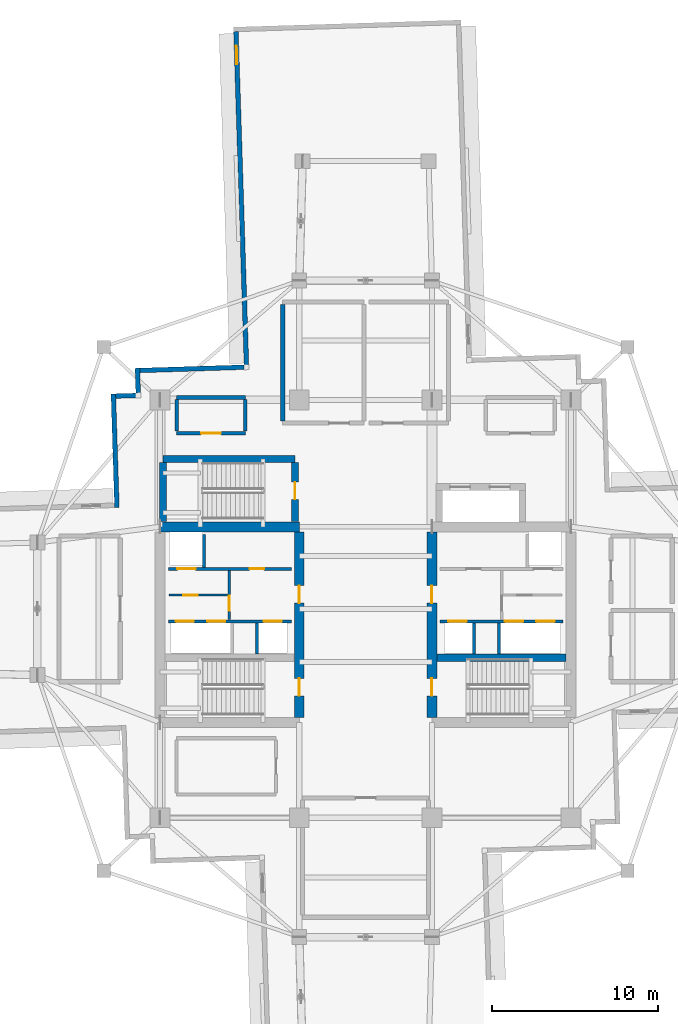
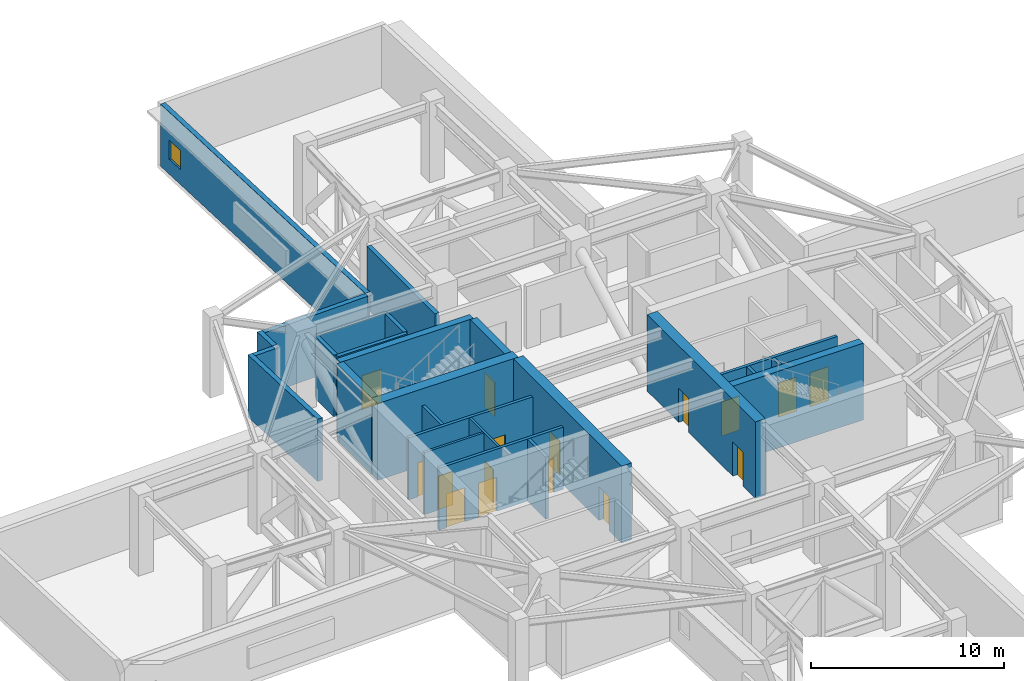
# One storey, part 10 of 17: 26 walls, 16 doors, 1 window, 17 openings.
"""IFC4 building model written with IfcOpenShell, lengths in metres."""

from ifc_helpers import new_model, si_unit, direction, frame, frame_2d, origin, place, context, subcontext, project, spatial, rectangle, extrude, material, layer, layer_set, type_object, element, fill, save


model = new_model("IFC4")

# Units and contexts
model_context = context("Model", 3, precision=1e-05, world=origin(), true_north=direction((0.0, 1.0)))
body_context = subcontext(model_context, "Body", "Model", "MODEL_VIEW")
ifc_project = project(units=[si_unit("LENGTHUNIT", "METRE"), si_unit("AREAUNIT", "SQUARE_METRE"), si_unit("VOLUMEUNIT", "CUBIC_METRE"), si_unit("PLANEANGLEUNIT", "RADIAN"), si_unit("MASSUNIT", "GRAM", prefix="KILO")], contexts=[model_context])

# Site, building, storey
site_placement = place(None, origin())
site = spatial("IfcSite", under=ifc_project, at=site_placement, CompositionType="ELEMENT")
building_placement = place(site_placement, origin())
building = spatial("IfcBuilding", under=site, at=building_placement, Name="Qingluan Cross Belvedere", CompositionType="ELEMENT")
storey_placement = place(building_placement, frame((0.0, 0.0, 191.699951171875)))
storey = spatial("IfcBuildingStorey", under=building, at=storey_placement, Name="L48", CompositionType="ELEMENT", Elevation=191.699951171875)

# Walls
ifc_material_1 = material(Name="Concrete C50", Category="concrete")
ifc_layer_1 = layer(ifc_material_1, 0.449951171875, Name="CoreShearWall_450")
ifc_layer_set_1 = layer_set([ifc_layer_1], Name="Concrete C50")
wall_type_1 = type_object("IfcWallType", Name="CoreShearWall_450", PredefinedType="SHEAR", material=ifc_layer_set_1)
wall_1_placement = place(storey_placement, frame((4.304931640625, -2.9599609375, 0.0), z_axis=(0.0, 0.0, 1.0), x_axis=(1.0, 0.0, 0.0)))
element("IfcWall", 1, at=wall_1_placement, inside=storey, type_object=wall_type_1, Name="Split core E shear wall L48-M", PredefinedType="SHEAR", context=body_context, shape_type="SweptSolid", body=[
    extrude(rectangle(XDim=7.7900390625, YDim=0.449951171875, at=frame_2d((3.89501953125, 0.0))), origin(), (0.0, 0.0, 1.0), 4.85009765625),
])
wall_2_placement = place(storey_placement, frame((-12.219970703125, 9.0400390625, 0.0), z_axis=(0.0, 0.0, 1.0), x_axis=(1.0, 0.0, 0.0)))
element("IfcWall", 2, at=wall_2_placement, inside=storey, type_object=wall_type_1, Name="Stair ST3 structural wall N L48", PredefinedType="SHEAR", context=body_context, shape_type="SweptSolid", body=[
    extrude(rectangle(XDim=7.9599609375, YDim=0.39990234375, at=frame_2d((3.97998046875, 0.0))), origin(), (0.0, 0.0, 1.0), 4.85009765625),
])
wall_3_placement = place(storey_placement, frame((-12.219970703125, 5.2548828125, 0.0), z_axis=(0.0, 0.0, 1.0), x_axis=(0.0, 1.0, 0.0)))
element("IfcWall", 3, at=wall_3_placement, inside=storey, type_object=wall_type_1, Name="Stair ST3 structural wall W L48", PredefinedType="SHEAR", context=body_context, shape_type="SweptSolid", body=[
    extrude(rectangle(XDim=3.580078125, YDim=0.39990234375, at=frame_2d((1.7900390625, 0.0))), origin(), (0.0, 0.0, 1.0), 4.85009765625),
])

# Wall, opening, door
wall_4_placement = place(storey_placement, frame((-4.260009765625, 5.2548828125, 0.0), z_axis=(0.0, 0.0, 1.0), x_axis=(0.0, 1.0, 0.0)))
wall_4 = element("IfcWall", 4, at=wall_4_placement, inside=storey, type_object=wall_type_1, Name="Stair ST3 structural wall E L48", PredefinedType="SHEAR", context=body_context, shape_type="SweptSolid", body=[
    extrude(rectangle(XDim=3.580078125, YDim=0.39990234375, at=frame_2d((1.7900390625, 0.0))), origin(), (0.0, 0.0, 1.0), 4.85009765625),
])
opening_1_placement = place(wall_4_placement, frame((1.344970703125, 0.0, 0.0)))
opening_1 = element("IfcOpeningElement", 5, at=opening_1_placement, cuts=wall_4, Name="Opening FD-B11", PredefinedType="OPENING", context=body_context, shape_type="SweptSolid", body=[
    extrude(rectangle(XDim=1.050048828125, YDim=2.14990234375, at=frame_2d((0.52490234375, 1.074951171875))), frame((0.0, 0.2099609375, 0.0), z_axis=(0.0, -1.0, 0.0), x_axis=(1.0, 0.0, 0.0)), (0.0, 0.0, 1.0), 0.419921875),
])
ifc_material_2 = material(Name="Steel Class B smoke-seal fire door", Category="steel")
door_type_1 = type_object("IfcDoorType", Name="StairLobbyFireDoor_FDB", OperationType="NOTDEFINED", PredefinedType="DOOR", material=ifc_material_2)
door_1_placement = place(opening_1_placement, origin())
door_1 = element("IfcDoor", 6, at=door_1_placement, inside=storey, type_object=door_type_1, Name="Smoke-proof stair ST3 fire door L48", OperationType="SINGLE_SWING_RIGHT", OverallHeight=2.14990234375, OverallWidth=1.050048828125, PredefinedType="DOOR", context=body_context, shape_type="SweptSolid", body=[
    extrude(rectangle(XDim=1.050048828125, YDim=2.14990234375, at=frame_2d((0.52490234375, 1.074951171875))), frame((0.0, 0.02490234375, 0.0), z_axis=(0.0, -1.0, 0.0), x_axis=(1.0, 0.0, 0.0)), (0.0, 0.0, 1.0), 0.050048828125),
])
fill(opening_1, door_1)

# Wall
ifc_material_3 = material(Name="Concrete C60", Category="concrete")
ifc_layer_2 = layer(ifc_material_3, 0.60009765625, Name="CoreShearWall_600")
ifc_layer_set_2 = layer_set([ifc_layer_2], Name="Concrete C60")
wall_type_2 = type_object("IfcWallType", Name="CoreShearWall_600", PredefinedType="SHEAR", material=ifc_layer_set_2)
wall_5_placement = place(storey_placement, frame((-12.39990234375, 4.949951171875, 0.0), z_axis=(0.0, 0.0, 1.0), x_axis=(1.0, 0.0, 0.0)))
element("IfcWall", 7, at=wall_5_placement, inside=storey, type_object=wall_type_2, Name="Split core W shear wall L48-N", PredefinedType="SHEAR", context=body_context, shape_type="SweptSolid", body=[
    extrude(rectangle(XDim=8.39990234375, YDim=0.60009765625, at=frame_2d((4.199951171875, 0.0))), origin(), (0.0, 0.0, 1.0), 4.85009765625),
])

# Wall, openings, doors
wall_6_placement = place(storey_placement, frame((-4.0, -6.544921875, 0.0), z_axis=(0.0, 0.0, 1.0), x_axis=(0.0, 1.0, 0.0)))
wall_6 = element("IfcWall", 8, at=wall_6_placement, inside=storey, type_object=wall_type_2, Name="Split core W shear wall L48-E", PredefinedType="SHEAR", context=body_context, shape_type="SweptSolid", body=[
    extrude(rectangle(XDim=11.18994140625, YDim=0.60009765625, at=frame_2d((5.594970703125, 0.0))), origin(), (0.0, 0.0, 1.0), 4.85009765625),
])
opening_2_placement = place(wall_6_placement, frame((1.294921875, 0.0, 0.0)))
opening_2 = element("IfcOpeningElement", 9, at=opening_2_placement, cuts=wall_6, Name="Opening FD-B11", PredefinedType="OPENING", context=body_context, shape_type="SweptSolid", body=[
    extrude(rectangle(XDim=1.050048828125, YDim=2.14990234375, at=frame_2d((0.52490234375, 1.074951171875))), frame((0.0, 0.31005859375, 0.0), z_axis=(0.0, -1.0, 0.0), x_axis=(1.0, 0.0, 0.0)), (0.0, 0.0, 1.0), 0.6201171875),
])
opening_3_placement = place(wall_6_placement, frame((6.89501953125, 0.0, 0.0)))
opening_3 = element("IfcOpeningElement", 10, at=opening_3_placement, cuts=wall_6, Name="Opening FD-B11", PredefinedType="OPENING", context=body_context, shape_type="SweptSolid", body=[
    extrude(rectangle(XDim=1.050048828125, YDim=2.14990234375, at=frame_2d((0.52490234375, 1.074951171875))), frame((0.0, 0.31005859375, 0.0), z_axis=(0.0, -1.0, 0.0), x_axis=(1.0, 0.0, 0.0)), (0.0, 0.0, 1.0), 0.6201171875),
])
door_2_placement = place(opening_2_placement, origin())
door_2 = element("IfcDoor", 11, at=door_2_placement, inside=storey, type_object=door_type_1, Name="Smoke-proof stair ST1 fire door L48", OperationType="SINGLE_SWING_RIGHT", OverallHeight=2.14990234375, OverallWidth=1.050048828125, PredefinedType="DOOR", context=body_context, shape_type="SweptSolid", body=[
    extrude(rectangle(XDim=1.050048828125, YDim=2.14990234375, at=frame_2d((0.52490234375, 1.074951171875))), frame((0.0, 0.02490234375, 0.0), z_axis=(0.0, -1.0, 0.0), x_axis=(1.0, 0.0, 0.0)), (0.0, 0.0, 1.0), 0.050048828125),
])
fill(opening_2, door_2)
door_3_placement = place(opening_3_placement, origin())
door_3 = element("IfcDoor", 12, at=door_3_placement, inside=storey, type_object=door_type_1, Name="Firefighting lobby West fire door L48", OperationType="SINGLE_SWING_RIGHT", OverallHeight=2.14990234375, OverallWidth=1.050048828125, PredefinedType="DOOR", context=body_context, shape_type="SweptSolid", body=[
    extrude(rectangle(XDim=1.050048828125, YDim=2.14990234375, at=frame_2d((0.52490234375, 1.074951171875))), frame((0.0, 0.02490234375, 0.0), z_axis=(0.0, -1.0, 0.0), x_axis=(1.0, 0.0, 0.0)), (0.0, 0.0, 1.0), 0.050048828125),
])
fill(opening_3, door_3)

wall_7_placement = place(storey_placement, frame((4.0, -6.544921875, 0.0), z_axis=(0.0, 0.0, 1.0), x_axis=(0.0, 1.0, 0.0)))
wall_7 = element("IfcWall", 13, at=wall_7_placement, inside=storey, type_object=wall_type_2, Name="Split core E shear wall L48-W", PredefinedType="SHEAR", context=body_context, shape_type="SweptSolid", body=[
    extrude(rectangle(XDim=11.18994140625, YDim=0.60009765625, at=frame_2d((5.594970703125, 0.0))), origin(), (0.0, 0.0, 1.0), 4.85009765625),
])
opening_4_placement = place(wall_7_placement, frame((1.294921875, 0.0, 0.0)))
opening_4 = element("IfcOpeningElement", 14, at=opening_4_placement, cuts=wall_7, Name="Opening FD-B11", PredefinedType="OPENING", context=body_context, shape_type="SweptSolid", body=[
    extrude(rectangle(XDim=1.050048828125, YDim=2.14990234375, at=frame_2d((0.52490234375, 1.074951171875))), frame((0.0, 0.31005859375, 0.0), z_axis=(0.0, -1.0, 0.0), x_axis=(1.0, 0.0, 0.0)), (0.0, 0.0, 1.0), 0.6201171875),
])
opening_5_placement = place(wall_7_placement, frame((6.89501953125, 0.0, 0.0)))
opening_5 = element("IfcOpeningElement", 15, at=opening_5_placement, cuts=wall_7, Name="Opening FD-B11", PredefinedType="OPENING", context=body_context, shape_type="SweptSolid", body=[
    extrude(rectangle(XDim=1.050048828125, YDim=2.14990234375, at=frame_2d((0.52490234375, 1.074951171875))), frame((0.0, 0.31005859375, 0.0), z_axis=(0.0, -1.0, 0.0), x_axis=(1.0, 0.0, 0.0)), (0.0, 0.0, 1.0), 0.6201171875),
])
door_4_placement = place(opening_4_placement, origin())
door_4 = element("IfcDoor", 16, at=door_4_placement, inside=storey, type_object=door_type_1, Name="Smoke-proof stair ST2 fire door L48", OperationType="SINGLE_SWING_LEFT", OverallHeight=2.14990234375, OverallWidth=1.050048828125, PredefinedType="DOOR", context=body_context, shape_type="SweptSolid", body=[
    extrude(rectangle(XDim=1.050048828125, YDim=2.14990234375, at=frame_2d((0.52490234375, 1.074951171875))), frame((0.0, 0.02490234375, 0.0), z_axis=(0.0, -1.0, 0.0), x_axis=(1.0, 0.0, 0.0)), (0.0, 0.0, 1.0), 0.050048828125),
])
fill(opening_4, door_4)
door_5_placement = place(opening_5_placement, origin())
door_5 = element("IfcDoor", 17, at=door_5_placement, inside=storey, type_object=door_type_1, Name="Firefighting lobby East fire door L48", OperationType="SINGLE_SWING_LEFT", OverallHeight=2.14990234375, OverallWidth=1.050048828125, PredefinedType="DOOR", context=body_context, shape_type="SweptSolid", body=[
    extrude(rectangle(XDim=1.050048828125, YDim=2.14990234375, at=frame_2d((0.52490234375, 1.074951171875))), frame((0.0, 0.02490234375, 0.0), z_axis=(0.0, -1.0, 0.0), x_axis=(1.0, 0.0, 0.0)), (0.0, 0.0, 1.0), 0.050048828125),
])
fill(opening_5, door_5)

# Wall, opening, door
ifc_material_4 = material(Name="Gypsum plasterboard on steel stud acoustic partition", Category="steel")
ifc_layer_3 = layer(ifc_material_4, 0.159912109375, Name="CorridorPartition_160")
ifc_layer_set_3 = layer_set([ifc_layer_3], Name="Gypsum plasterboard on steel stud acoustic partition")
wall_type_3 = type_object("IfcWallType", Name="CorridorPartition_160", PredefinedType="PARTITIONING", material=ifc_layer_set_3)
wall_8_placement = place(storey_placement, frame((-11.85009765625, 0.830078125, 0.0), z_axis=(0.0, 0.0, 1.0), x_axis=(1.0, 0.0, 0.0)))
wall_8 = element("IfcWall", 18, at=wall_8_placement, inside=storey, type_object=wall_type_3, Name="Partition L48:w", PredefinedType="PARTITIONING", context=body_context, shape_type="SweptSolid", body=[
    extrude(rectangle(XDim=3.552001953125, YDim=0.139892578125, at=frame_2d((1.77587890625, 0.0))), origin(), (0.0, 0.0, 1.0), 3.920166015625),
])
opening_6_placement = place(wall_8_placement, frame((0.85009765625, 0.0, 0.0)))
opening_6 = element("IfcOpeningElement", 19, at=opening_6_placement, cuts=wall_8, Name="Opening FD-B10", PredefinedType="OPENING", context=body_context, shape_type="SweptSolid", body=[
    extrude(rectangle(XDim=0.8798828125, YDim=2.10009765625, at=frame_2d((0.43994140625, 1.050048828125))), frame((0.0, 0.079833984375, 0.0), z_axis=(0.0, -1.0, 0.0), x_axis=(1.0, 0.0, 0.0)), (0.0, 0.0, 1.0), 0.159912109375),
])
ifc_material_5 = material(Name="Steel Class B service fire door", Category="steel")
door_type_2 = type_object("IfcDoorType", Name="RiserServiceFireDoor_FDB", OperationType="NOTDEFINED", PredefinedType="DOOR", material=ifc_material_5)
door_6_placement = place(opening_6_placement, origin())
door_6 = element("IfcDoor", 20, at=door_6_placement, inside=storey, type_object=door_type_2, Name="Service closet inner door L48", OperationType="SINGLE_SWING_LEFT", OverallHeight=2.10009765625, OverallWidth=0.8798828125, PredefinedType="DOOR", context=body_context, shape_type="SweptSolid", body=[
    extrude(rectangle(XDim=0.8798828125, YDim=2.10009765625, at=frame_2d((0.43994140625, 1.050048828125))), frame((0.0, 0.02490234375, 0.0), z_axis=(0.0, -1.0, 0.0), x_axis=(1.0, 0.0, 0.0)), (0.0, 0.0, 1.0), 0.050048828125),
])
fill(opening_6, door_6)

wall_9_placement = place(storey_placement, frame((-11.39990234375, 10.60009765625, 0.0), z_axis=(0.0, 0.0, 1.0), x_axis=(1.0, 0.0, 0.0)))
wall_9 = element("IfcWall", 21, at=wall_9_placement, inside=storey, type_object=wall_type_3, Name="Partition L48:refuge_nw:S", PredefinedType="PARTITIONING", context=body_context, shape_type="SweptSolid", body=[
    extrude(rectangle(XDim=4.14990234375, YDim=0.219970703125, at=frame_2d((2.074951171875, 0.0))), origin(), (0.0, 0.0, 1.0), 3.920166015625),
])
opening_7_placement = place(wall_9_placement, frame((1.47509765625, 0.0, 0.0)))
opening_7 = element("IfcOpeningElement", 22, at=opening_7_placement, cuts=wall_9, Name="Opening FD-A12", PredefinedType="OPENING", context=body_context, shape_type="SweptSolid", body=[
    extrude(rectangle(XDim=1.199951171875, YDim=2.14990234375, at=frame_2d((0.60009765625, 1.074951171875))), frame((0.0, 0.119873046875, 0.0), z_axis=(0.0, -1.0, 0.0), x_axis=(1.0, 0.0, 0.0)), (0.0, 0.0, 1.0), 0.239990234375),
])
ifc_material_6 = material(Name="Insulated steel Class A fire door", Category="steel")
door_type_3 = type_object("IfcDoorType", Name="RefugeCompartmentDoor_FDA", OperationType="NOTDEFINED", PredefinedType="DOOR", material=ifc_material_6)
door_7_placement = place(opening_7_placement, origin())
door_7 = element("IfcDoor", 23, at=door_7_placement, inside=storey, type_object=door_type_3, Name="Fire refuge bay Northwest L48 door", OperationType="SINGLE_SWING_LEFT", OverallHeight=2.14990234375, OverallWidth=1.199951171875, PredefinedType="DOOR", context=body_context, shape_type="SweptSolid", body=[
    extrude(rectangle(XDim=1.199951171875, YDim=2.14990234375, at=frame_2d((0.60009765625, 1.074951171875))), frame((0.0, 0.02490234375, 0.0), z_axis=(0.0, -1.0, 0.0), x_axis=(1.0, 0.0, 0.0)), (0.0, 0.0, 1.0), 0.050048828125),
])
fill(opening_7, door_7)

# Walls
wall_10_placement = place(storey_placement, frame((-11.39990234375, 12.75, 0.0), z_axis=(0.0, 0.0, 1.0), x_axis=(1.0, 0.0, 0.0)))
element("IfcWall", 24, at=wall_10_placement, inside=storey, type_object=wall_type_3, Name="Partition L48:refuge_nw:N", PredefinedType="PARTITIONING", context=body_context, shape_type="SweptSolid", body=[
    extrude(rectangle(XDim=4.14990234375, YDim=0.219970703125, at=frame_2d((2.074951171875, 0.0))), origin(), (0.0, 0.0, 1.0), 3.920166015625),
])
for number, where, z_axis, x_axis, name in (
    (25, (-11.39990234375, 10.715087890625, 0.0), (0.0, 0.0, 1.0), (0.0, 1.0, 0.0), "Partition L48:refuge_nw:W"),
    (26, (-7.25, 10.715087890625, 0.0), (0.0, 0.0, 1.0), (0.0, 1.0, 0.0), "Partition L48:refuge_nw:E"),
):
    element("IfcWall", number, at=place(storey_placement, frame(where, z_axis=z_axis, x_axis=x_axis)), inside=storey, type_object=wall_type_3, Name=name, PredefinedType="PARTITIONING", context=body_context, shape_type="SweptSolid", body=[
        extrude(rectangle(XDim=1.919921875, YDim=0.219970703125, at=frame_2d((0.9599609375, 0.0))), origin(), (0.0, 0.0, 1.0), 3.920166015625),
    ])
ifc_material_7 = material(Name="Concrete C40", Category="concrete")
ifc_layer_4 = layer(ifc_material_7, 0.300048828125, Name="FireCompartmentWall_300")
ifc_layer_set_4 = layer_set([ifc_layer_4], Name="Concrete C40")
wall_type_4 = type_object("IfcWallType", Name="FireCompartmentWall_300", PredefinedType="SOLIDWALL", material=ifc_layer_set_4)
wall_11_placement = place(storey_placement, frame((-5.0, 11.330078125, 0.0), z_axis=(0.0, 0.0, 1.0), x_axis=(0.0, 1.0, 0.0)))
element("IfcWall", 27, at=wall_11_placement, inside=storey, type_object=wall_type_4, Name="Partition L48:refuge_n1:W", PredefinedType="SOLIDWALL", context=body_context, shape_type="SweptSolid", body=[
    extrude(rectangle(XDim=7.0400390625, YDim=0.25, at=frame_2d((3.52001953125, 0.0))), origin(), (0.0, 0.0, 1.0), 3.920166015625),
])

# Wall, opening, window
ifc_material_8 = material(Name="Precast concrete C45", Category="concrete")
ifc_layer_5 = layer(ifc_material_8, 0.280029296875, Name="PrecastFacadeWall_280")
ifc_layer_set_5 = layer_set([ifc_layer_5], Name="Precast concrete C45")
wall_type_5 = type_object("IfcWallType", Name="PrecastFacadeWall_280", PredefinedType="STANDARD", material=ifc_layer_set_5)
wall_12_placement = place(storey_placement, frame((-7.8173828125, 34.8115234375, 0.0), z_axis=(0.0, 0.0, 1.0), x_axis=(0.031410322165, -0.999506574096, 0.0)))
wall_12 = element("IfcWall", 28, at=wall_12_placement, inside=storey, type_object=wall_type_5, Name="Facade wall L48-NB", PredefinedType="STANDARD", context=body_context, shape_type="SweptSolid", body=[
    extrude(rectangle(XDim=20.10009765625, YDim=0.280029296875, at=frame_2d((10.050048828125, 0.0))), origin(), (0.0, 0.0, 1.0), 3.929931640625),
])
opening_8_placement = place(wall_12_placement, frame((0.85009765625, 0.0, 0.949951171875)))
opening_8 = element("IfcOpeningElement", 29, at=opening_8_placement, cuts=wall_12, Name="Opening W-07", PredefinedType="OPENING", context=body_context, shape_type="SweptSolid", body=[
    extrude(rectangle(XDim=1.10009765625, YDim=1.199951171875, at=frame_2d((0.550048828125, 0.60009765625))), frame((0.0, 0.14990234375, 0.0), z_axis=(0.0, -1.0, 0.0), x_axis=(1.0, 0.0, 0.0)), (0.0, 0.0, 1.0), 0.300048828125),
])
ifc_material_9 = material(Name="Thermally broken triple Low-E glass in aluminium frame", Category="aluminium")
window_type = type_object("IfcWindowType", Name="RefugeSmokeWin_1100x1200", PartitioningType="SINGLE_PANEL", PredefinedType="WINDOW", material=ifc_material_9)
window_placement = place(opening_8_placement, origin())
window = element("IfcWindow", 30, at=window_placement, inside=storey, type_object=window_type, Name="Refuge operable smoke window L48-NB", OverallHeight=1.199951171875, OverallWidth=1.10009765625, PartitioningType="SINGLE_PANEL", PredefinedType="WINDOW", context=body_context, shape_type="SweptSolid", body=[
    extrude(rectangle(XDim=1.10009765625, YDim=1.199951171875, at=frame_2d((0.550048828125, 0.60009765625))), frame((0.0, 0.030029296875, 0.0), z_axis=(0.0, -1.0, 0.0), x_axis=(1.0, 0.0, 0.0)), (0.0, 0.0, 1.0), 0.06005859375),
])
fill(opening_8, window)

# Walls
wall_13_placement = place(storey_placement, frame((-14.99951171875, 6.11181640625, 0.0), z_axis=(0.0, 0.0, 1.0), x_axis=(-0.031389189386, 0.999507237988, 0.0)))
element("IfcWall", 31, at=wall_13_placement, inside=storey, type_object=wall_type_5, Name="Corner wall L48-NW1", PredefinedType="STANDARD", context=body_context, shape_type="SweptSolid", body=[
    extrude(rectangle(XDim=6.860107421875, YDim=0.280029296875, at=frame_2d((3.43017578125, 0.0))), origin(), (0.0, 0.0, 1.0), 3.929931640625),
])
wall_14_placement = place(storey_placement, frame((-15.070556640625, 12.8330078125, 0.0), z_axis=(0.0, 0.0, 1.0), x_axis=(0.999506398264, 0.031415916822, 0.0)))
element("IfcWall", 32, at=wall_14_placement, inside=storey, type_object=wall_type_5, Name="Corner wall L48-NW2", PredefinedType="STANDARD", context=body_context, shape_type="SweptSolid", body=[
    extrude(rectangle(XDim=1.219970703125, YDim=0.280029296875, at=frame_2d((0.60986328125, 0.0))), origin(), (0.0, 0.0, 1.0), 3.929931640625),
])
wall_15_placement = place(storey_placement, frame((-13.715576171875, 13.015625, 0.0), z_axis=(0.0, 0.0, 1.0), x_axis=(-0.031412596484, 0.999506502621, 0.0)))
element("IfcWall", 33, at=wall_15_placement, inside=storey, type_object=wall_type_5, Name="Corner wall L48-NW3", PredefinedType="STANDARD", context=body_context, shape_type="SweptSolid", body=[
    extrude(rectangle(XDim=1.5, YDim=0.280029296875, at=frame_2d((0.75, 0.0))), origin(), (0.0, 0.0, 1.0), 3.929931640625),
])
wall_16_placement = place(storey_placement, frame((-13.618408203125, 14.37939453125, 0.0), z_axis=(0.0, 0.0, 1.0), x_axis=(0.999507224741, 0.031389611199, 0.0)))
element("IfcWall", 34, at=wall_16_placement, inside=storey, type_object=wall_type_5, Name="Corner wall L48-NW4", PredefinedType="STANDARD", context=body_context, shape_type="SweptSolid", body=[
    extrude(rectangle(XDim=6.300048828125, YDim=0.280029296875, at=frame_2d((3.14990234375, 0.0))), origin(), (0.0, 0.0, 1.0), 3.929931640625),
])

# Wall, openings, doors
ifc_material_10 = material(Name="Concrete C40", Category="concrete")
ifc_layer_6 = layer(ifc_material_10, 0.219970703125, Name="ShaftEnclosureWall_250")
ifc_layer_set_6 = layer_set([ifc_layer_6], Name="Concrete C40")
wall_type_6 = type_object("IfcWallType", Name="ShaftEnclosureWall_250", PredefinedType="SOLIDWALL", material=ifc_layer_set_6)
wall_17_placement = place(storey_placement, frame((-11.89990234375, 2.409912109375, 0.0), z_axis=(0.0, 0.0, 1.0), x_axis=(1.0, 0.0, 0.0)))
wall_17 = element("IfcWall", 35, at=wall_17_placement, inside=storey, type_object=wall_type_6, Name="Core-W north hoistway wall L48", PredefinedType="SOLIDWALL", context=body_context, shape_type="SweptSolid", body=[
    extrude(rectangle(XDim=7.419921875, YDim=0.179931640625, at=frame_2d((3.7099609375, 0.0))), origin(), (0.0, 0.0, 1.0), 3.920166015625),
])
opening_9_placement = place(wall_17_placement, frame((0.550048828125, 0.0, 0.0)))
opening_9 = element("IfcOpeningElement", 36, at=opening_9_placement, cuts=wall_17, Name="Opening LD-11", PredefinedType="OPENING", context=body_context, shape_type="SweptSolid", body=[
    extrude(rectangle(XDim=1.10009765625, YDim=2.14990234375, at=frame_2d((0.550048828125, 1.074951171875))), frame((0.0, 0.099853515625, 0.0), z_axis=(0.0, -1.0, 0.0), x_axis=(1.0, 0.0, 0.0)), (0.0, 0.0, 1.0), 0.199951171875),
])
opening_10_placement = place(wall_17_placement, frame((4.89990234375, 0.0, 0.0)))
opening_10 = element("IfcOpeningElement", 37, at=opening_10_placement, cuts=wall_17, Name="Opening FD-B10", PredefinedType="OPENING", context=body_context, shape_type="SweptSolid", body=[
    extrude(rectangle(XDim=0.8798828125, YDim=2.10009765625, at=frame_2d((0.43994140625, 1.050048828125))), frame((0.0, 0.099853515625, 0.0), z_axis=(0.0, -1.0, 0.0), x_axis=(1.0, 0.0, 0.0)), (0.0, 0.0, 1.0), 0.199951171875),
])
ifc_material_11 = material(Name="Brushed stainless steel centre-opening lift landing door", Category="steel")
door_type_4 = type_object("IfcDoorType", Name="LiftLandingSlidingDoor_1100", OperationType="DOUBLE_DOOR_SLIDING", PredefinedType="DOOR", material=ifc_material_11)
door_8_placement = place(opening_9_placement, origin())
door_8 = element("IfcDoor", 38, at=door_8_placement, inside=storey, type_object=door_type_4, Name="Lift landing sliding door FL1 L48", OperationType="DOUBLE_DOOR_SLIDING", OverallHeight=2.14990234375, OverallWidth=1.10009765625, PredefinedType="DOOR", context=body_context, shape_type="SweptSolid", body=[
    extrude(rectangle(XDim=1.10009765625, YDim=2.14990234375, at=frame_2d((0.550048828125, 1.074951171875))), frame((0.0, 0.02490234375, 0.0), z_axis=(0.0, -1.0, 0.0), x_axis=(1.0, 0.0, 0.0)), (0.0, 0.0, 1.0), 0.050048828125),
])
fill(opening_9, door_8)
door_9_placement = place(opening_10_placement, origin())
door_9 = element("IfcDoor", 39, at=door_9_placement, inside=storey, type_object=door_type_2, Name="Housekeeping supply room door W L48", OperationType="SINGLE_SWING_LEFT", OverallHeight=2.10009765625, OverallWidth=0.8798828125, PredefinedType="DOOR", context=body_context, shape_type="SweptSolid", body=[
    extrude(rectangle(XDim=0.8798828125, YDim=2.10009765625, at=frame_2d((0.43994140625, 1.050048828125))), frame((0.0, 0.02490234375, 0.0), z_axis=(0.0, -1.0, 0.0), x_axis=(1.0, 0.0, 0.0)), (0.0, 0.0, 1.0), 0.050048828125),
])
fill(opening_10, door_9)

wall_18_placement = place(storey_placement, frame((-11.89990234375, -0.75, 0.0), z_axis=(0.0, 0.0, 1.0), x_axis=(1.0, 0.0, 0.0)))
wall_18 = element("IfcWall", 40, at=wall_18_placement, inside=storey, type_object=wall_type_6, Name="Core-W mid hoistway wall L48", PredefinedType="SOLIDWALL", context=body_context, shape_type="SweptSolid", body=[
    extrude(rectangle(XDim=7.419921875, YDim=0.179931640625, at=frame_2d((3.7099609375, 0.0))), origin(), (0.0, 0.0, 1.0), 3.920166015625),
])
opening_11_placement = place(wall_18_placement, frame((0.449951171875, 0.0, 0.0)))
opening_11 = element("IfcOpeningElement", 41, at=opening_11_placement, cuts=wall_18, Name="Opening LD-11", PredefinedType="OPENING", context=body_context, shape_type="SweptSolid", body=[
    extrude(rectangle(XDim=1.10009765625, YDim=2.14990234375, at=frame_2d((0.550048828125, 1.074951171875))), frame((0.0, 0.099853515625, 0.0), z_axis=(0.0, -1.0, 0.0), x_axis=(1.0, 0.0, 0.0)), (0.0, 0.0, 1.0), 0.199951171875),
])
opening_12_placement = place(wall_18_placement, frame((2.35009765625, 0.0, 0.0)))
opening_12 = element("IfcOpeningElement", 42, at=opening_12_placement, cuts=wall_18, Name="Opening LD-11", PredefinedType="OPENING", context=body_context, shape_type="SweptSolid", body=[
    extrude(rectangle(XDim=1.10009765625, YDim=2.14990234375, at=frame_2d((0.550048828125, 1.074951171875))), frame((0.0, 0.099853515625, 0.0), z_axis=(0.0, -1.0, 0.0), x_axis=(1.0, 0.0, 0.0)), (0.0, 0.0, 1.0), 0.199951171875),
])
opening_13_placement = place(wall_18_placement, frame((5.75, 0.0, 0.0)))
opening_13 = element("IfcOpeningElement", 43, at=opening_13_placement, cuts=wall_18, Name="Opening LD-11", PredefinedType="OPENING", context=body_context, shape_type="SweptSolid", body=[
    extrude(rectangle(XDim=1.10009765625, YDim=2.14990234375, at=frame_2d((0.550048828125, 1.074951171875))), frame((0.0, 0.099853515625, 0.0), z_axis=(0.0, -1.0, 0.0), x_axis=(1.0, 0.0, 0.0)), (0.0, 0.0, 1.0), 0.199951171875),
])
door_10_placement = place(opening_11_placement, origin())
door_10 = element("IfcDoor", 44, at=door_10_placement, inside=storey, type_object=door_type_4, Name="Lift landing sliding door LP5 L48", OperationType="DOUBLE_DOOR_SLIDING", OverallHeight=2.14990234375, OverallWidth=1.10009765625, PredefinedType="DOOR", context=body_context, shape_type="SweptSolid", body=[
    extrude(rectangle(XDim=1.10009765625, YDim=2.14990234375, at=frame_2d((0.550048828125, 1.074951171875))), frame((0.0, 0.02490234375, 0.0), z_axis=(0.0, -1.0, 0.0), x_axis=(1.0, 0.0, 0.0)), (0.0, 0.0, 1.0), 0.050048828125),
])
fill(opening_11, door_10)
door_11_placement = place(opening_12_placement, origin())
door_11 = element("IfcDoor", 45, at=door_11_placement, inside=storey, type_object=door_type_4, Name="Lift landing sliding door LP6 L48", OperationType="DOUBLE_DOOR_SLIDING", OverallHeight=2.14990234375, OverallWidth=1.10009765625, PredefinedType="DOOR", context=body_context, shape_type="SweptSolid", body=[
    extrude(rectangle(XDim=1.10009765625, YDim=2.14990234375, at=frame_2d((0.550048828125, 1.074951171875))), frame((0.0, 0.02490234375, 0.0), z_axis=(0.0, -1.0, 0.0), x_axis=(1.0, 0.0, 0.0)), (0.0, 0.0, 1.0), 0.050048828125),
])
fill(opening_12, door_11)
door_12_placement = place(opening_13_placement, origin())
door_12 = element("IfcDoor", 46, at=door_12_placement, inside=storey, type_object=door_type_4, Name="Lift landing sliding door LP8 L48", OperationType="DOUBLE_DOOR_SLIDING", OverallHeight=2.14990234375, OverallWidth=1.10009765625, PredefinedType="DOOR", context=body_context, shape_type="SweptSolid", body=[
    extrude(rectangle(XDim=1.10009765625, YDim=2.14990234375, at=frame_2d((0.550048828125, 1.074951171875))), frame((0.0, 0.02490234375, 0.0), z_axis=(0.0, -1.0, 0.0), x_axis=(1.0, 0.0, 0.0)), (0.0, 0.0, 1.0), 0.050048828125),
])
fill(opening_13, door_12)

wall_19_placement = place(storey_placement, frame((4.47998046875, -0.75, 0.0), z_axis=(0.0, 0.0, 1.0), x_axis=(1.0, 0.0, 0.0)))
wall_19 = element("IfcWall", 47, at=wall_19_placement, inside=storey, type_object=wall_type_6, Name="Core-E mid hoistway wall L48", PredefinedType="SOLIDWALL", context=body_context, shape_type="SweptSolid", body=[
    extrude(rectangle(XDim=7.419921875, YDim=0.179931640625, at=frame_2d((3.7099609375, 0.0))), origin(), (0.0, 0.0, 1.0), 3.920166015625),
])
opening_14_placement = place(wall_19_placement, frame((0.52001953125, 0.0, 0.0)))
opening_14 = element("IfcOpeningElement", 48, at=opening_14_placement, cuts=wall_19, Name="Opening LD-11", PredefinedType="OPENING", context=body_context, shape_type="SweptSolid", body=[
    extrude(rectangle(XDim=1.10009765625, YDim=2.14990234375, at=frame_2d((0.550048828125, 1.074951171875))), frame((0.0, 0.099853515625, 0.0), z_axis=(0.0, -1.0, 0.0), x_axis=(1.0, 0.0, 0.0)), (0.0, 0.0, 1.0), 0.199951171875),
])
opening_15_placement = place(wall_19_placement, frame((3.919921875, 0.0, 0.0)))
opening_15 = element("IfcOpeningElement", 49, at=opening_15_placement, cuts=wall_19, Name="Opening LD-11", PredefinedType="OPENING", context=body_context, shape_type="SweptSolid", body=[
    extrude(rectangle(XDim=1.10009765625, YDim=2.14990234375, at=frame_2d((0.550048828125, 1.074951171875))), frame((0.0, 0.099853515625, 0.0), z_axis=(0.0, -1.0, 0.0), x_axis=(1.0, 0.0, 0.0)), (0.0, 0.0, 1.0), 0.199951171875),
])
opening_16_placement = place(wall_19_placement, frame((5.820068359375, 0.0, 0.0)))
opening_16 = element("IfcOpeningElement", 50, at=opening_16_placement, cuts=wall_19, Name="Opening LD-11", PredefinedType="OPENING", context=body_context, shape_type="SweptSolid", body=[
    extrude(rectangle(XDim=1.10009765625, YDim=2.14990234375, at=frame_2d((0.550048828125, 1.074951171875))), frame((0.0, 0.099853515625, 0.0), z_axis=(0.0, -1.0, 0.0), x_axis=(1.0, 0.0, 0.0)), (0.0, 0.0, 1.0), 0.199951171875),
])
door_13_placement = place(opening_14_placement, origin())
door_13 = element("IfcDoor", 51, at=door_13_placement, inside=storey, type_object=door_type_4, Name="Lift landing sliding door LP7 L48", OperationType="DOUBLE_DOOR_SLIDING", OverallHeight=2.14990234375, OverallWidth=1.10009765625, PredefinedType="DOOR", context=body_context, shape_type="SweptSolid", body=[
    extrude(rectangle(XDim=1.10009765625, YDim=2.14990234375, at=frame_2d((0.550048828125, 1.074951171875))), frame((0.0, 0.02490234375, 0.0), z_axis=(0.0, -1.0, 0.0), x_axis=(1.0, 0.0, 0.0)), (0.0, 0.0, 1.0), 0.050048828125),
])
fill(opening_14, door_13)
door_14_placement = place(opening_15_placement, origin())
door_14 = element("IfcDoor", 52, at=door_14_placement, inside=storey, type_object=door_type_4, Name="Lift landing sliding door LP9 L48", OperationType="DOUBLE_DOOR_SLIDING", OverallHeight=2.14990234375, OverallWidth=1.10009765625, PredefinedType="DOOR", context=body_context, shape_type="SweptSolid", body=[
    extrude(rectangle(XDim=1.10009765625, YDim=2.14990234375, at=frame_2d((0.550048828125, 1.074951171875))), frame((0.0, 0.02490234375, 0.0), z_axis=(0.0, -1.0, 0.0), x_axis=(1.0, 0.0, 0.0)), (0.0, 0.0, 1.0), 0.050048828125),
])
fill(opening_15, door_14)
door_15_placement = place(opening_16_placement, origin())
door_15 = element("IfcDoor", 53, at=door_15_placement, inside=storey, type_object=door_type_4, Name="Lift landing sliding door LP10 L48", OperationType="DOUBLE_DOOR_SLIDING", OverallHeight=2.14990234375, OverallWidth=1.10009765625, PredefinedType="DOOR", context=body_context, shape_type="SweptSolid", body=[
    extrude(rectangle(XDim=1.10009765625, YDim=2.14990234375, at=frame_2d((0.550048828125, 1.074951171875))), frame((0.0, 0.02490234375, 0.0), z_axis=(0.0, -1.0, 0.0), x_axis=(1.0, 0.0, 0.0)), (0.0, 0.0, 1.0), 0.050048828125),
])
fill(opening_16, door_15)

# Walls
wall_20_placement = place(storey_placement, frame((-9.760009765625, 2.5, 0.0), z_axis=(0.0, 0.0, 1.0), x_axis=(0.0, 1.0, 0.0)))
element("IfcWall", 54, at=wall_20_placement, inside=storey, type_object=wall_type_6, Name="Hoistway enclosure divider FL1E L48", PredefinedType="SOLIDWALL", context=body_context, shape_type="SweptSolid", body=[
    extrude(rectangle(XDim=1.989990234375, YDim=0.179931640625, at=frame_2d((0.9951171875, 0.0))), origin(), (0.0, 0.0, 1.0), 3.920166015625),
])
for number, where, z_axis, x_axis, name in (
    (55, (-6.5400390625, -2.72998046875, 0.0), (0.0, 0.0, 1.0), (0.0, 1.0, 0.0), "Hoistway enclosure divider LP8W L48"),
    (56, (6.5400390625, -2.72998046875, 0.0), (0.0, 0.0, 1.0), (0.0, 1.0, 0.0), "Hoistway enclosure divider LP7E L48"),
    (57, (8.06005859375, -2.72998046875, 0.0), (0.0, 0.0, 1.0), (0.0, 1.0, 0.0), "Hoistway enclosure divider LP9W L48"),
):
    element("IfcWall", number, at=place(storey_placement, frame(where, z_axis=z_axis, x_axis=x_axis)), inside=storey, type_object=wall_type_6, Name=name, PredefinedType="SOLIDWALL", context=body_context, shape_type="SweptSolid", body=[
        extrude(rectangle(XDim=1.889892578125, YDim=0.179931640625, at=frame_2d((0.94482421875, 0.0))), origin(), (0.0, 0.0, 1.0), 3.920166015625),
    ])

# Wall, opening, door
wall_21_placement = place(storey_placement, frame((-8.219970703125, -0.64990234375, 0.0), z_axis=(0.0, 0.0, 1.0), x_axis=(0.0, 1.0, 0.0)))
wall_21 = element("IfcWall", 58, at=wall_21_placement, inside=storey, type_object=wall_type_6, Name="Core-W service corridor wall L48", PredefinedType="SOLIDWALL", context=body_context, shape_type="SweptSolid", body=[
    extrude(rectangle(XDim=2.9599609375, YDim=0.139892578125, at=frame_2d((1.47998046875, 0.0))), origin(), (0.0, 0.0, 1.0), 3.920166015625),
])
opening_17_placement = place(wall_21_placement, frame((0.550048828125, 0.0, 0.0)))
opening_17 = element("IfcOpeningElement", 59, at=opening_17_placement, cuts=wall_21, Name="Opening FD-B10", PredefinedType="OPENING", context=body_context, shape_type="SweptSolid", body=[
    extrude(rectangle(XDim=0.8798828125, YDim=2.10009765625, at=frame_2d((0.43994140625, 1.050048828125))), frame((0.0, 0.079833984375, 0.0), z_axis=(0.0, -1.0, 0.0), x_axis=(1.0, 0.0, 0.0)), (0.0, 0.0, 1.0), 0.159912109375),
])
door_16_placement = place(opening_17_placement, origin())
door_16 = element("IfcDoor", 60, at=door_16_placement, inside=storey, type_object=door_type_2, Name="Core-W service room door L48", OperationType="SINGLE_SWING_LEFT", OverallHeight=2.10009765625, OverallWidth=0.8798828125, PredefinedType="DOOR", context=body_context, shape_type="SweptSolid", body=[
    extrude(rectangle(XDim=0.8798828125, YDim=2.10009765625, at=frame_2d((0.43994140625, 1.050048828125))), frame((0.0, 0.02490234375, 0.0), z_axis=(0.0, -1.0, 0.0), x_axis=(1.0, 0.0, 0.0)), (0.0, 0.0, 1.0), 0.050048828125),
])
fill(opening_17, door_16)

save(model, "model.ifc")
